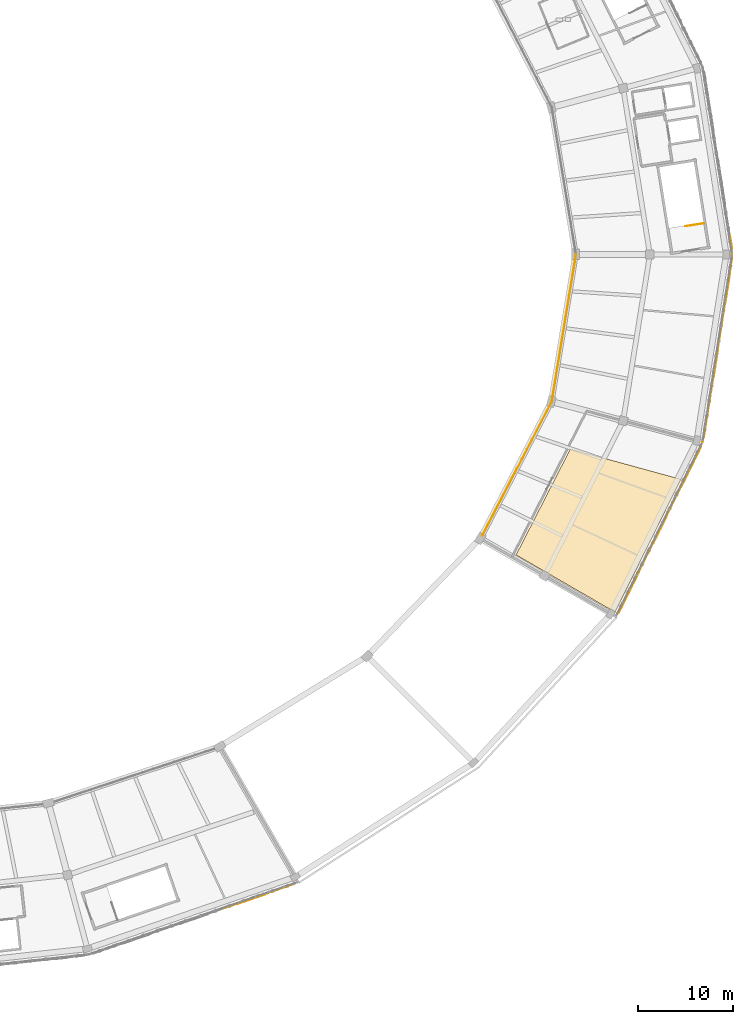
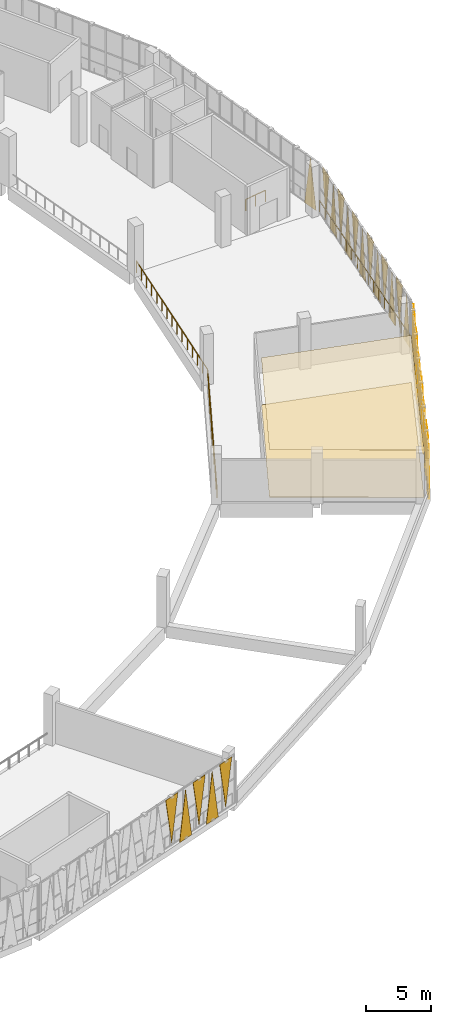
# One storey, part 60 of 64: 32 coverings, 5 railings.
"""IFC4 building model written with IfcOpenShell, lengths in metres."""

from ifc_helpers import new_model, si_unit, direction, frame, origin, origin_2d, place, context, subcontext, project, spatial, polyline, circle, outline, extrude, material, layer, layer_set, type_object, element, save


model = new_model("IFC4")

# Units and contexts
model_context = context("Model", 3, precision=1e-05, world=origin(), true_north=direction((0.0, 1.0)))
body_context = subcontext(model_context, "Body", "Model", "MODEL_VIEW")
ifc_project = project(units=[si_unit("LENGTHUNIT", "METRE"), si_unit("AREAUNIT", "SQUARE_METRE"), si_unit("VOLUMEUNIT", "CUBIC_METRE"), si_unit("PLANEANGLEUNIT", "RADIAN"), si_unit("MASSUNIT", "GRAM", prefix="KILO")], contexts=[model_context])

# Site, building, storey
site_placement = place(None, origin())
site = spatial("IfcSite", under=ifc_project, at=site_placement, CompositionType="ELEMENT")
building_placement = place(site_placement, origin())
building = spatial("IfcBuilding", under=site, at=building_placement, Name="Zevraka Park Crest Stadium", CompositionType="ELEMENT")
storey_placement = place(building_placement, frame((0.0, 0.0, 24.60009765625)))
storey = spatial("IfcBuildingStorey", under=building, at=storey_placement, Name="L05", CompositionType="ELEMENT", Elevation=24.60009765625)

# Coverings
ifc_material_1 = material(Name="Architectural golden-bronze perforated aluminium", Category="aluminium")
ifc_layer_1 = layer(ifc_material_1, 0.034912109375)
ifc_layer_set_1 = layer_set([ifc_layer_1], Name="Architectural golden-bronze perforated aluminium")
covering_type_1 = type_object("IfcCoveringType", Name="CLD01", PredefinedType="CLADDING", material=ifc_layer_set_1)
covering_1_placement = place(storey_placement, frame((202.9169921875, 92.52392578125, -0.22021484375), z_axis=(-0.987893266449, -0.155135069606, 6.5440973e-05), x_axis=(-0.155135069938, 0.987893268565, 0.0)))
element("IfcCovering", 1, at=covering_1_placement, inside=storey, type_object=covering_type_1, Name="Triangular Golden-Bronze Perforated Cladding L05-00-1", PredefinedType="CLADDING", context=body_context, shape_type="SweptSolid", body=[
    extrude(outline(polyline([(0.0, 0.0), (1.4242251330644342, 1.6940658945086007e-21), (0.711693977052785, -4.66015625997861), (0.0, 0.0)])), origin(), (0.0, 0.0, -1.0), 0.034912109375),
])
covering_2_placement = place(storey_placement, frame((150.971923828125, 23.924072265625, 4.599853515625), z_axis=(0.326876778138, -0.945066957718, 0.000131698294), x_axis=(-0.945066965914, -0.326876780972, 0.0)))
element("IfcCovering", 2, at=covering_2_placement, inside=storey, type_object=covering_type_1, Name="Triangular Golden-Bronze Perforated Cladding L05-19-10", PredefinedType="CLADDING", context=body_context, shape_type="SweptSolid", body=[
    extrude(outline(polyline([(0.0, 0.0), (1.4347734924150557, -6.776263578034403e-21), (0.7175862559615392, 4.379882850483309), (0.0, 0.0)])), origin(), (0.0, 0.0, -1.0), 0.034912109375),
])
covering_3_placement = place(storey_placement, frame((151.123046875, 23.97607421875, -0.22021484375), z_axis=(-0.327087167362, 0.944994158697, 0.000158039592), x_axis=(0.944994170498, 0.327087171446, 0.0)))
element("IfcCovering", 3, at=covering_3_placement, inside=storey, type_object=covering_type_1, Name="Triangular Golden-Bronze Perforated Cladding L05-19-11", PredefinedType="CLADDING", context=body_context, shape_type="SweptSolid", body=[
    extrude(outline(polyline([(0.0, 0.0), (1.433850610989357, 0.0), (0.7171870902633259, -4.660156308197227), (0.0, 0.0)])), origin(), (0.0, 0.0, -1.0), 0.034912109375),
])
covering_4_placement = place(storey_placement, frame((153.985107421875, 24.966064453125, 4.599853515625), z_axis=(-0.327034549779, 0.945012382, 3.3441037e-05), x_axis=(-0.945012382528, -0.327034549962, 0.0)))
element("IfcCovering", 4, at=covering_4_placement, inside=storey, type_object=covering_type_1, Name="Triangular Golden-Bronze Perforated Cladding L05-19-12", PredefinedType="CLADDING", context=body_context, shape_type="SweptSolid", body=[
    extrude(outline(polyline([(0.0, 0.0), (1.4340813246800908, 1.6940658945086007e-21), (0.7163441089266511, -4.379882814949018), (0.0, 0.0)])), origin(), (0.0, 0.0, -1.0), 0.034912109375),
])
covering_5_placement = place(storey_placement, frame((154.136962890625, 25.01904296875, -0.22021484375), z_axis=(0.326478757083, -0.945204539285, 9.448619e-06), x_axis=(0.945204539327, 0.326478757097, 0.0)))
element("IfcCovering", 5, at=covering_5_placement, inside=storey, type_object=covering_type_1, Name="Triangular Golden-Bronze Perforated Cladding L05-19-13", PredefinedType="CLADDING", context=body_context, shape_type="SweptSolid", body=[
    extrude(outline(polyline([(0.0, 0.0), (1.4335314869677471, 0.0), (0.716264364466002, 4.660156250208021), (0.0, 0.0)])), origin(), (0.0, 0.0, -1.0), 0.034912109375),
])
covering_6_placement = place(storey_placement, frame((156.9990234375, 26.009033203125, 4.599853515625), z_axis=(0.326876778138, -0.945066957718, 0.000131698294), x_axis=(-0.945066965914, -0.326876780972, 0.0)))
element("IfcCovering", 6, at=covering_6_placement, inside=storey, type_object=covering_type_1, Name="Triangular Golden-Bronze Perforated Cladding L05-19-14", PredefinedType="CLADDING", context=body_context, shape_type="SweptSolid", body=[
    extrude(outline(polyline([(0.0, 0.0), (1.4347734924150557, -6.776263578034403e-21), (0.7175862559615392, 4.379882850483309), (0.0, 0.0)])), origin(), (0.0, 0.0, -1.0), 0.034912109375),
])
covering_7_placement = place(storey_placement, frame((191.04296875, 54.47509765625, -0.22021484375), z_axis=(-0.895619480658, 0.444821021261, 7.0067675e-05), x_axis=(0.444821022353, 0.895619482857, 0.0)))
element("IfcCovering", 7, at=covering_7_placement, inside=storey, type_object=covering_type_1, Name="Triangular Golden-Bronze Perforated Cladding L05-22-1", PredefinedType="CLADDING", context=body_context, shape_type="SweptSolid", body=[
    extrude(outline(polyline([(0.0, 0.0), (1.4703728050326461, 6.776263578034403e-21), (0.7348033877569146, -4.660156261439471), (0.0, 0.0)])), origin(), (0.0, 0.0, -1.0), 0.034912109375),
])
covering_8_placement = place(storey_placement, frame((192.4208984375, 57.251953125, 4.599853515625), z_axis=(-0.895950090781, 0.444154716861, 0.000149398529), x_axis=(-0.444154721818, -0.89595010078, 0.0)))
element("IfcCovering", 8, at=covering_8_placement, inside=storey, type_object=covering_type_1, Name="Triangular Golden-Bronze Perforated Cladding L05-22-2", PredefinedType="CLADDING", context=body_context, shape_type="SweptSolid", body=[
    extrude(outline(polyline([(0.0, 0.0), (1.4698302172231181, 0.0), (0.7346945053991754, -4.379882861379319), (0.0, 0.0)])), origin(), (0.0, 0.0, -1.0), 0.034912109375),
])
covering_9_placement = place(storey_placement, frame((192.491943359375, 57.39501953125, -0.22021484375), z_axis=(-0.895883995086, 0.444288039832, 7.0784467e-05), x_axis=(0.444288040945, 0.895883997331, 0.0)))
element("IfcCovering", 9, at=covering_9_placement, inside=storey, type_object=covering_type_1, Name="Triangular Golden-Bronze Perforated Cladding L05-22-3", PredefinedType="CLADDING", context=body_context, shape_type="SweptSolid", body=[
    extrude(outline(polyline([(0.0, 0.0), (1.469938669709407, 0.0), (0.7356779501127663, -4.660156261674719), (0.0, 0.0)])), origin(), (0.0, 0.0, -1.0), 0.034912109375),
])
covering_10_placement = place(storey_placement, frame((193.868896484375, 60.173095703125, 4.599853515625), z_axis=(0.895982849102, -0.444088626228, 0.000161771865), x_axis=(-0.444088632039, -0.895982860826, 0.0)))
element("IfcCovering", 10, at=covering_10_placement, inside=storey, type_object=covering_type_1, Name="Triangular Golden-Bronze Perforated Cladding L05-22-4", PredefinedType="CLADDING", context=body_context, shape_type="SweptSolid", body=[
    extrude(outline(polyline([(0.0, 0.0), (1.4700489590400176, 1.3552527156068805e-20), (0.7353545039067246, 4.379882869811066), (0.0, 0.0)])), origin(), (0.0, 0.0, -1.0), 0.034912109375),
])
covering_11_placement = place(storey_placement, frame((193.94091796875, 60.31591796875, -0.22021484375), z_axis=(0.895916767223, -0.444221937409, 0.000128584975), x_axis=(0.444221941081, 0.895916774629, 0.0)))
element("IfcCovering", 11, at=covering_11_placement, inside=storey, type_object=covering_type_1, Name="Triangular Golden-Bronze Perforated Cladding L05-22-5", PredefinedType="CLADDING", context=body_context, shape_type="SweptSolid", body=[
    extrude(outline(polyline([(0.0, 0.0), (1.4701573953898759, 0.0), (0.7354628429647014, 4.660156288525736), (0.0, 0.0)])), origin(), (0.0, 0.0, -1.0), 0.034912109375),
])
covering_12_placement = place(storey_placement, frame((195.318115234375, 63.093017578125, 4.599853515625), z_axis=(-0.895916759006, 0.444221933335, 0.000186752884), x_axis=(-0.444221941081, -0.895916774629, 0.0)))
element("IfcCovering", 12, at=covering_12_placement, inside=storey, type_object=covering_type_1, Name="Triangular Golden-Bronze Perforated Cladding L05-22-6", PredefinedType="CLADDING", context=body_context, shape_type="SweptSolid", body=[
    extrude(outline(polyline([(0.0, 0.0), (1.4701573953898759, 1.3552527156068805e-20), (0.7348030050475087, -4.379882888877799), (0.0, 0.0)])), origin(), (0.0, 0.0, -1.0), 0.034912109375),
])
covering_13_placement = place(storey_placement, frame((195.388916015625, 63.237060546875, -0.22021484375), z_axis=(-0.895883985299, 0.444288034979, 0.000163887575), x_axis=(0.444288040945, 0.895883997331, 0.0)))
element("IfcCovering", 13, at=covering_13_placement, inside=storey, type_object=covering_type_1, Name="Triangular Golden-Bronze Perforated Cladding L05-22-7", PredefinedType="CLADDING", context=body_context, shape_type="SweptSolid", body=[
    extrude(outline(polyline([(0.0, 0.0), (1.469938669709407, 0.0), (0.7348030633966232, -4.66015631258389), (0.0, 0.0)])), origin(), (0.0, 0.0, -1.0), 0.034912109375),
])
covering_14_placement = place(storey_placement, frame((196.76611328125, 66.013916015625, 4.599853515625), z_axis=(0.895883990394, -0.444288037506, 0.000124437127), x_axis=(-0.444288040945, -0.895883997331, 0.0)))
element("IfcCovering", 14, at=covering_14_placement, inside=storey, type_object=covering_type_1, Name="Triangular Golden-Bronze Perforated Cladding L05-22-8", PredefinedType="CLADDING", context=body_context, shape_type="SweptSolid", body=[
    extrude(outline(polyline([(0.0, 0.0), (1.469938669709407, 0.0), (0.7352440750727806, 4.379882846410363), (0.0, 0.0)])), origin(), (0.0, 0.0, -1.0), 0.034912109375),
])
covering_15_placement = place(storey_placement, frame((196.837890625, 66.156982421875, -0.22021484375), z_axis=(0.895916769661, -0.444221938618, 0.00010531266), x_axis=(0.444221941081, 0.895916774629, 0.0)))
element("IfcCovering", 15, at=covering_15_placement, inside=storey, type_object=covering_type_1, Name="Triangular Golden-Bronze Perforated Cladding L05-22-9", PredefinedType="CLADDING", context=body_context, shape_type="SweptSolid", body=[
    extrude(outline(polyline([(0.0, 0.0), (1.4701573953898759, 0.0), (0.7352441132833955, 4.66015627584233), (0.0, 0.0)])), origin(), (0.0, 0.0, -1.0), 0.034912109375),
])
covering_16_placement = place(storey_placement, frame((198.215087890625, 68.93505859375, 4.599853515625), z_axis=(-0.895916772854, 0.444221940201, 6.2945211e-05), x_axis=(-0.444221941081, -0.895916774629, 0.0)))
element("IfcCovering", 16, at=covering_16_placement, inside=storey, type_object=covering_type_1, Name="Triangular Golden-Bronze Perforated Cladding L05-22-10", PredefinedType="CLADDING", context=body_context, shape_type="SweptSolid", body=[
    extrude(outline(polyline([(0.0, 0.0), (1.4701573953898759, 0.0), (0.7358966534540385, -4.379882821176766), (0.0, 0.0)])), origin(), (0.0, 0.0, -1.0), 0.034912109375),
])
covering_17_placement = place(storey_placement, frame((198.285888671875, 69.077880859375, -0.22021484375), z_axis=(-0.895916764246, 0.444221935933, 0.000152248785), x_axis=(0.444221941081, 0.895916774629, 0.0)))
element("IfcCovering", 17, at=covering_17_placement, inside=storey, type_object=covering_type_1, Name="Triangular Golden-Bronze Perforated Cladding L05-22-11", PredefinedType="CLADDING", context=body_context, shape_type="SweptSolid", body=[
    extrude(outline(polyline([(0.0, 0.0), (1.4701573953898759, 1.3552527156068805e-20), (0.7350217347288147, -4.660156304010495), (0.0, 0.0)])), origin(), (0.0, 0.0, -1.0), 0.034912109375),
])
covering_18_placement = place(storey_placement, frame((199.6640625, 71.85498046875, 4.599853515625), z_axis=(-0.895619480368, 0.444821021117, 7.4551381e-05), x_axis=(-0.444821022353, -0.895619482857, 0.0)))
element("IfcCovering", 18, at=covering_18_placement, inside=storey, type_object=covering_type_1, Name="Triangular Golden-Bronze Perforated Cladding L05-22-12", PredefinedType="CLADDING", context=body_context, shape_type="SweptSolid", body=[
    extrude(outline(polyline([(0.0, 0.0), (1.4703728050326461, 0.0), (0.7348033877569146, -4.379882824671494), (0.0, 0.0)])), origin(), (0.0, 0.0, -1.0), 0.034912109375),
])
covering_19_placement = place(storey_placement, frame((199.98193359375, 72.85400390625, -0.22021484375), z_axis=(0.987893266942, -0.155135069683, 5.7313612e-05), x_axis=(0.155135069938, 0.987893268565, 0.0)))
element("IfcCovering", 19, at=covering_19_placement, inside=storey, type_object=covering_type_1, Name="Triangular Golden-Bronze Perforated Cladding L05-23-1", PredefinedType="CLADDING", context=body_context, shape_type="SweptSolid", body=[
    extrude(outline(polyline([(0.0, 0.0), (1.4242251330644342, -1.6940658945086007e-21), (0.7114527921727644, 4.6601562576539575), (0.0, 0.0)])), origin(), (0.0, 0.0, -1.0), 0.034912109375),
])
covering_20_placement = place(storey_placement, frame((200.449951171875, 75.825927734375, 4.599853515625), z_axis=(0.987787967194, -0.155804140583, 4.0557424e-05), x_axis=(-0.155804140711, -0.987787968006, 0.0)))
element("IfcCovering", 20, at=covering_20_placement, inside=storey, type_object=covering_type_1, Name="Triangular Golden-Bronze Perforated Cladding L05-23-2", PredefinedType="CLADDING", context=body_context, shape_type="SweptSolid", body=[
    extrude(outline(polyline([(0.0, 0.0), (1.424376958868296, 0.0), (0.7125311991318173, 4.379882816102245), (0.0, 0.0)])), origin(), (0.0, 0.0, -1.0), 0.034912109375),
])
covering_21_placement = place(storey_placement, frame((200.47509765625, 75.98388671875, -0.22021484375), z_axis=(0.987792127669, -0.155777766143, 9.552626e-06), x_axis=(0.155777766151, 0.987792127714, 0.0)))
element("IfcCovering", 21, at=covering_21_placement, inside=storey, type_object=covering_type_1, Name="Triangular Golden-Bronze Perforated Cladding L05-23-3", PredefinedType="CLADDING", context=body_context, shape_type="SweptSolid", body=[
    extrude(outline(polyline([(0.0, 0.0), (1.4246181185479923, 0.0), (0.7118077230585413, 4.660156250212626), (0.0, 0.0)])), origin(), (0.0, 0.0, -1.0), 0.034912109375),
])
covering_22_placement = place(storey_placement, frame((200.944091796875, 78.9560546875, 4.599853515625), z_axis=(0.98776157535, -0.155971374903, 2.1735141e-05), x_axis=(-0.15597137494, -0.987761575584, 0.0)))
element("IfcCovering", 22, at=covering_22_placement, inside=storey, type_object=covering_type_1, Name="Triangular Golden-Bronze Perforated Cladding L05-23-4", PredefinedType="CLADDING", context=body_context, shape_type="SweptSolid", body=[
    extrude(outline(polyline([(0.0, 0.0), (1.4244150174031942, 8.470329472543003e-22), (0.712810390522632, 4.3798828135345635), (0.0, 0.0)])), origin(), (0.0, 0.0, -1.0), 0.034912109375),
])
covering_23_placement = place(storey_placement, frame((200.968017578125, 79.114013671875, -0.22021484375), z_axis=(-0.987787966948, 0.155804140544, 4.6280613e-05), x_axis=(0.155804140711, 0.987787968006, 0.0)))
element("IfcCovering", 23, at=covering_23_placement, inside=storey, type_object=covering_type_1, Name="Triangular Golden-Bronze Perforated Cladding L05-23-5", PredefinedType="CLADDING", context=body_context, shape_type="SweptSolid", body=[
    extrude(outline(polyline([(0.0, 0.0), (1.424376958868296, 0.0), (0.7116046005646023, -4.660156254990783), (0.0, 0.0)])), origin(), (0.0, 0.0, -1.0), 0.034912109375),
])
covering_24_placement = place(storey_placement, frame((201.43701171875, 82.0859375, 4.599853515625), z_axis=(-0.987787967902, 0.155804140695, 1.450322e-05), x_axis=(-0.155804140711, -0.987787968006, 0.0)))
element("IfcCovering", 24, at=covering_24_placement, inside=storey, type_object=covering_type_1, Name="Triangular Golden-Bronze Perforated Cladding L05-23-6", PredefinedType="CLADDING", context=body_context, shape_type="SweptSolid", body=[
    extrude(outline(polyline([(0.0, 0.0), (1.424376958868296, 0.0), (0.7125692372521081, -4.3798828129606395), (0.0, 0.0)])), origin(), (0.0, 0.0, -1.0), 0.034912109375),
])
covering_25_placement = place(storey_placement, frame((201.4619140625, 82.243896484375, -0.22021484375), z_axis=(0.987761575377, -0.155971374908, 2.0427936e-05), x_axis=(0.15597137494, 0.987761575584, 0.0)))
element("IfcCovering", 25, at=covering_25_placement, inside=storey, type_object=covering_type_1, Name="Triangular Golden-Bronze Perforated Cladding L05-23-7", PredefinedType="CLADDING", context=body_context, shape_type="SweptSolid", body=[
    extrude(outline(polyline([(0.0, 0.0), (1.4244150174031942, 0.0), (0.712810390522632, 4.660156250972343), (0.0, 0.0)])), origin(), (0.0, 0.0, -1.0), 0.034912109375),
])
covering_26_placement = place(storey_placement, frame((201.930908203125, 85.216064453125, 4.599853515625), z_axis=(0.987787967902, -0.155804140695, 1.450322e-05), x_axis=(-0.155804140711, -0.987787968006, 0.0)))
element("IfcCovering", 26, at=covering_26_placement, inside=storey, type_object=covering_type_1, Name="Triangular Golden-Bronze Perforated Cladding L05-23-8", PredefinedType="CLADDING", context=body_context, shape_type="SweptSolid", body=[
    extrude(outline(polyline([(0.0, 0.0), (1.424376958868296, 0.0), (0.711807721616188, 4.3798828129606395), (0.0, 0.0)])), origin(), (0.0, 0.0, -1.0), 0.034912109375),
])
covering_27_placement = place(storey_placement, frame((201.955078125, 85.3740234375, -0.22021484375), z_axis=(0.987787967288, -0.155804140598, 3.81182e-05), x_axis=(0.155804140711, 0.987787968006, 0.0)))
element("IfcCovering", 27, at=covering_27_placement, inside=storey, type_object=covering_type_1, Name="Triangular Golden-Bronze Perforated Cladding L05-23-9", PredefinedType="CLADDING", context=body_context, shape_type="SweptSolid", body=[
    extrude(outline(polyline([(0.0, 0.0), (1.424376958868296, 0.0), (0.7125311991318173, 4.660156253385598), (0.0, 0.0)])), origin(), (0.0, 0.0, -1.0), 0.034912109375),
])
covering_28_placement = place(storey_placement, frame((202.424072265625, 88.345947265625, 4.599853515625), z_axis=(-0.98776157535, 0.155971374903, 2.1735141e-05), x_axis=(-0.15597137494, -0.987761575584, 0.0)))
element("IfcCovering", 28, at=covering_28_placement, inside=storey, type_object=covering_type_1, Name="Triangular Golden-Bronze Perforated Cladding L05-23-10", PredefinedType="CLADDING", context=body_context, shape_type="SweptSolid", body=[
    extrude(outline(polyline([(0.0, 0.0), (1.4244150174031942, 8.470329472543003e-22), (0.7116046268805623, -4.3798828135345635), (0.0, 0.0)])), origin(), (0.0, 0.0, -1.0), 0.034912109375),
])
covering_29_placement = place(storey_placement, frame((202.448974609375, 88.50390625, -0.22021484375), z_axis=(-0.987787967991, 0.155804140709, 5.468547e-06), x_axis=(0.155804140711, 0.987787968006, 0.0)))
element("IfcCovering", 29, at=covering_29_placement, inside=storey, type_object=covering_type_1, Name="Triangular Golden-Bronze Perforated Cladding L05-23-11", PredefinedType="CLADDING", context=body_context, shape_type="SweptSolid", body=[
    extrude(outline(polyline([(0.0, 0.0), (1.424376958868296, 0.0), (0.7128103964239846, -4.660156250069682), (0.0, 0.0)])), origin(), (0.0, 0.0, -1.0), 0.034912109375),
])
covering_30_placement = place(storey_placement, frame((202.9169921875, 91.47607421875, 4.599853515625), z_axis=(0.98789326617, -0.155135069562, 6.9628612e-05), x_axis=(-0.155135069938, -0.987893268565, 0.0)))
element("IfcCovering", 30, at=covering_30_placement, inside=storey, type_object=covering_type_1, Name="Triangular Golden-Bronze Perforated Cladding L05-23-12", PredefinedType="CLADDING", context=body_context, shape_type="SweptSolid", body=[
    extrude(outline(polyline([(0.0, 0.0), (1.4242251330644342, 0.0), (0.711693977052785, 4.379882823117151), (0.0, 0.0)])), origin(), (0.0, 0.0, -1.0), 0.034912109375),
])
ifc_material_2 = material(Name="Perforated acoustic mineral-fibre suspended ceiling", Category="other")
ifc_layer_2 = layer(ifc_material_2, 0.02490234375)
ifc_layer_set_2 = layer_set([ifc_layer_2], Name="Perforated acoustic mineral-fibre suspended ceiling")
covering_type_2 = type_object("IfcCoveringType", Name="CLG01", PredefinedType="CEILING", material=ifc_layer_set_2)
covering_31_placement = place(storey_placement, frame((0.0, 0.0, 4.47998046875)))
element("IfcCovering", 31, at=covering_31_placement, inside=storey, type_object=covering_type_2, Name="Acoustic Ceiling Television Broadcast Studio L05-023", PredefinedType="CEILING", context=body_context, shape_type="SweptSolid", body=[
    extrude(outline(polyline([(190.64697265625, 54.531982421875), (180.282958984375, 60.530029296875), (185.966064453125, 71.6201171875), (197.541015625, 68.449951171875), (190.64697265625, 54.531982421875)])), origin(), (0.0, 0.0, 1.0), 0.02490234375),
])
ifc_material_3 = material(Name="Honed terrazzo and slip-resistant sports flooring", Category="other")
ifc_layer_3 = layer(ifc_material_3, 0.0400390625)
ifc_layer_set_3 = layer_set([ifc_layer_3], Name="Honed terrazzo and slip-resistant sports flooring")
covering_type_3 = type_object("IfcCoveringType", Name="FLR01", PredefinedType="FLOORING", material=ifc_layer_set_3)
covering_32_placement = place(storey_placement, origin())
element("IfcCovering", 32, at=covering_32_placement, inside=storey, type_object=covering_type_3, Name="Terrazzo Floor Finish Television Broadcast Studio L05-023", PredefinedType="FLOORING", context=body_context, shape_type="SweptSolid", body=[
    extrude(outline(polyline([(190.64697265625, 54.531982421875), (180.282958984375, 60.530029296875), (185.966064453125, 71.6201171875), (197.541015625, 68.449951171875), (190.64697265625, 54.531982421875)])), origin(), (0.0, 0.0, 1.0), 0.039794921875),
])

# Railings
ifc_material_4 = material(Name="Galvanised and bronze-finished steel balustrade", Category="steel")
railing_type_1 = type_object("IfcRailingType", Name="GR01", PredefinedType="GUARDRAIL", material=ifc_material_4)
railing_1_placement = place(storey_placement, frame((176.759033203125, 62.56201171875, 0.0)))
element("IfcRailing", 33, at=railing_1_placement, inside=storey, type_object=railing_type_1, Name="Deck Edge Protection Guardrail GR01 L05-1", PredefinedType="GUARDRAIL", context=body_context, shape_type="SweptSolid", body=[
    extrude(circle(Radius=0.02392578125, at=origin_2d()), frame((0.0, 0.0, 1.076171875), z_axis=(0.460360955046, 0.887731823846, 0.0), x_axis=(-0.887731823846, 0.460360955046, 0.0)), (0.0, 0.0, 1.0), 15.78515625),
    extrude(circle(Radius=0.02099609375, at=origin_2d()), origin(), (0.0, 0.0, 1.0), 1.052001953125),
    extrude(circle(Radius=0.02099609375, at=origin_2d()), frame((0.51904296875, 1.0009765625, 0.0)), (0.0, 0.0, 1.0), 1.052001953125),
    extrude(circle(Radius=0.02099609375, at=origin_2d()), frame((1.0380859375, 2.001953125, 0.0)), (0.0, 0.0, 1.0), 1.052001953125),
    extrude(circle(Radius=0.02099609375, at=origin_2d()), frame((1.55712890625, 3.002685546875, 0.0)), (0.0, 0.0, 1.0), 1.052001953125),
    extrude(circle(Radius=0.02099609375, at=origin_2d()), frame((2.076171875, 4.003662109375, 0.0)), (0.0, 0.0, 1.0), 1.052001953125),
    extrude(circle(Radius=0.02099609375, at=origin_2d()), frame((2.59521484375, 5.004638671875, 0.0)), (0.0, 0.0, 1.0), 1.052001953125),
    extrude(circle(Radius=0.02099609375, at=origin_2d()), frame((3.1142578125, 6.005615234375, 0.0)), (0.0, 0.0, 1.0), 1.052001953125),
    extrude(circle(Radius=0.02099609375, at=origin_2d()), frame((3.63330078125, 7.00634765625, 0.0)), (0.0, 0.0, 1.0), 1.052001953125),
    extrude(circle(Radius=0.02099609375, at=origin_2d()), frame((4.152587890625, 8.00732421875, 0.0)), (0.0, 0.0, 1.0), 1.052001953125),
    extrude(circle(Radius=0.02099609375, at=origin_2d()), frame((4.671630859375, 9.00830078125, 0.0)), (0.0, 0.0, 1.0), 1.052001953125),
    extrude(circle(Radius=0.02099609375, at=origin_2d()), frame((5.190673828125, 10.00927734375, 0.0)), (0.0, 0.0, 1.0), 1.052001953125),
    extrude(circle(Radius=0.02099609375, at=origin_2d()), frame((5.709716796875, 11.01025390625, 0.0)), (0.0, 0.0, 1.0), 1.052001953125),
    extrude(circle(Radius=0.02099609375, at=origin_2d()), frame((6.228759765625, 12.010986328125, 0.0)), (0.0, 0.0, 1.0), 1.052001953125),
    extrude(circle(Radius=0.02099609375, at=origin_2d()), frame((6.747802734375, 13.011962890625, 0.0)), (0.0, 0.0, 1.0), 1.052001953125),
    extrude(circle(Radius=0.02099609375, at=origin_2d()), frame((7.266845703125, 14.012939453125, 0.0)), (0.0, 0.0, 1.0), 1.052001953125),
])
railing_2_placement = place(storey_placement, frame((184.02587890625, 76.574951171875, 0.0)))
element("IfcRailing", 34, at=railing_2_placement, inside=storey, type_object=railing_type_1, Name="Deck Edge Protection Guardrail GR01 L05-2", PredefinedType="GUARDRAIL", context=body_context, shape_type="SweptSolid", body=[
    extrude(circle(Radius=0.02392578125, at=origin_2d()), frame((0.0, 0.0, 1.076171875), z_axis=(0.162709297252, 0.986674051847, 0.0), x_axis=(-0.986674051847, 0.162709297252, 0.0)), (0.0, 0.0, 1.0), 15.63037109375),
    extrude(circle(Radius=0.02099609375, at=origin_2d()), origin(), (0.0, 0.0, 1.0), 1.052001953125),
    extrude(circle(Radius=0.02099609375, at=origin_2d()), frame((0.181640625, 1.1015625, 0.0)), (0.0, 0.0, 1.0), 1.052001953125),
    extrude(circle(Radius=0.02099609375, at=origin_2d()), frame((0.36328125, 2.203125, 0.0)), (0.0, 0.0, 1.0), 1.052001953125),
    extrude(circle(Radius=0.02099609375, at=origin_2d()), frame((0.544921875, 3.3046875, 0.0)), (0.0, 0.0, 1.0), 1.052001953125),
    extrude(circle(Radius=0.02099609375, at=origin_2d()), frame((0.7265625, 4.40625, 0.0)), (0.0, 0.0, 1.0), 1.052001953125),
    extrude(circle(Radius=0.02099609375, at=origin_2d()), frame((0.908203125, 5.5078125, 0.0)), (0.0, 0.0, 1.0), 1.052001953125),
    extrude(circle(Radius=0.02099609375, at=origin_2d()), frame((1.08984375, 6.609375, 0.0)), (0.0, 0.0, 1.0), 1.052001953125),
    extrude(circle(Radius=0.02099609375, at=origin_2d()), frame((1.271484375, 7.7109375, 0.0)), (0.0, 0.0, 1.0), 1.052001953125),
    extrude(circle(Radius=0.02099609375, at=origin_2d()), frame((1.453369140625, 8.812744140625, 0.0)), (0.0, 0.0, 1.0), 1.052001953125),
    extrude(circle(Radius=0.02099609375, at=origin_2d()), frame((1.635009765625, 9.914306640625, 0.0)), (0.0, 0.0, 1.0), 1.052001953125),
    extrude(circle(Radius=0.02099609375, at=origin_2d()), frame((1.816650390625, 11.015869140625, 0.0)), (0.0, 0.0, 1.0), 1.052001953125),
    extrude(circle(Radius=0.02099609375, at=origin_2d()), frame((1.998291015625, 12.117431640625, 0.0)), (0.0, 0.0, 1.0), 1.052001953125),
    extrude(circle(Radius=0.02099609375, at=origin_2d()), frame((2.179931640625, 13.218994140625, 0.0)), (0.0, 0.0, 1.0), 1.052001953125),
    extrude(circle(Radius=0.02099609375, at=origin_2d()), frame((2.361572265625, 14.320556640625, 0.0)), (0.0, 0.0, 1.0), 1.052001953125),
    extrude(circle(Radius=0.02099609375, at=origin_2d()), frame((2.543212890625, 15.422119140625, 0.0)), (0.0, 0.0, 1.0), 1.052001953125),
])
railing_3_placement = place(storey_placement, frame((202.928955078125, 92.0, 0.0)))
element("IfcRailing", 35, at=railing_3_placement, inside=storey, type_object=railing_type_1, Name="Deck Edge Protection Guardrail GR01 L05-7", PredefinedType="GUARDRAIL", context=body_context, shape_type="SweptSolid", body=[
    extrude(circle(Radius=0.02392578125, at=origin_2d()), frame((0.0, 0.0, 1.076171875), z_axis=(-0.155690922418, -0.987805819317, 0.0), x_axis=(0.987805819317, -0.155690922418, 0.0)), (0.0, 0.0, 1.0), 19.8916015625),
    extrude(circle(Radius=0.02099609375, at=origin_2d()), origin(), (0.0, 0.0, 1.0), 1.052001953125),
    extrude(circle(Radius=0.02099609375, at=origin_2d()), frame((-0.18212890625, -1.15576171875, 0.0)), (0.0, 0.0, 1.0), 1.052001953125),
    extrude(circle(Radius=0.02099609375, at=origin_2d()), frame((-0.3642578125, -2.3115234375, 0.0)), (0.0, 0.0, 1.0), 1.052001953125),
    extrude(circle(Radius=0.02099609375, at=origin_2d()), frame((-0.546630859375, -3.467529296875, 0.0)), (0.0, 0.0, 1.0), 1.052001953125),
    extrude(circle(Radius=0.02099609375, at=origin_2d()), frame((-0.728759765625, -4.623291015625, 0.0)), (0.0, 0.0, 1.0), 1.052001953125),
    extrude(circle(Radius=0.02099609375, at=origin_2d()), frame((-0.910888671875, -5.779052734375, 0.0)), (0.0, 0.0, 1.0), 1.052001953125),
    extrude(circle(Radius=0.02099609375, at=origin_2d()), frame((-1.093017578125, -6.934814453125, 0.0)), (0.0, 0.0, 1.0), 1.052001953125),
    extrude(circle(Radius=0.02099609375, at=origin_2d()), frame((-1.275146484375, -8.0908203125, 0.0)), (0.0, 0.0, 1.0), 1.052001953125),
    extrude(circle(Radius=0.02099609375, at=origin_2d()), frame((-1.457275390625, -9.24658203125, 0.0)), (0.0, 0.0, 1.0), 1.052001953125),
    extrude(circle(Radius=0.02099609375, at=origin_2d()), frame((-1.6396484375, -10.40234375, 0.0)), (0.0, 0.0, 1.0), 1.052001953125),
    extrude(circle(Radius=0.02099609375, at=origin_2d()), frame((-1.82177734375, -11.55810546875, 0.0)), (0.0, 0.0, 1.0), 1.052001953125),
    extrude(circle(Radius=0.02099609375, at=origin_2d()), frame((-2.00390625, -12.714111328125, 0.0)), (0.0, 0.0, 1.0), 1.052001953125),
    extrude(circle(Radius=0.02099609375, at=origin_2d()), frame((-2.18603515625, -13.869873046875, 0.0)), (0.0, 0.0, 1.0), 1.052001953125),
    extrude(circle(Radius=0.02099609375, at=origin_2d()), frame((-2.3681640625, -15.025634765625, 0.0)), (0.0, 0.0, 1.0), 1.052001953125),
    extrude(circle(Radius=0.02099609375, at=origin_2d()), frame((-2.55029296875, -16.181396484375, 0.0)), (0.0, 0.0, 1.0), 1.052001953125),
    extrude(circle(Radius=0.02099609375, at=origin_2d()), frame((-2.732666015625, -17.33740234375, 0.0)), (0.0, 0.0, 1.0), 1.052001953125),
    extrude(circle(Radius=0.02099609375, at=origin_2d()), frame((-2.914794921875, -18.4931640625, 0.0)), (0.0, 0.0, 1.0), 1.052001953125),
    extrude(circle(Radius=0.02099609375, at=origin_2d()), frame((-3.096923828125, -19.64892578125, 0.0)), (0.0, 0.0, 1.0), 1.052001953125),
])
railing_4_placement = place(storey_placement, frame((199.83203125, 72.35107421875, 0.0)))
element("IfcRailing", 36, at=railing_4_placement, inside=storey, type_object=railing_type_1, Name="Deck Edge Protection Guardrail GR01 L05-8", PredefinedType="GUARDRAIL", context=body_context, shape_type="SweptSolid", body=[
    extrude(circle(Radius=0.02392578125, at=origin_2d()), frame((0.0, 0.0, 1.076171875), z_axis=(-0.444343152442, -0.895856664248, 0.0), x_axis=(0.895856664248, -0.444343152442, 0.0)), (0.0, 0.0, 1.0), 20.0546875),
    extrude(circle(Radius=0.02099609375, at=origin_2d()), origin(), (0.0, 0.0, 1.0), 1.052001953125),
    extrude(circle(Radius=0.02099609375, at=origin_2d()), frame((-0.524169921875, -1.056884765625, 0.0)), (0.0, 0.0, 1.0), 1.052001953125),
    extrude(circle(Radius=0.02099609375, at=origin_2d()), frame((-1.04833984375, -2.11376953125, 0.0)), (0.0, 0.0, 1.0), 1.052001953125),
    extrude(circle(Radius=0.02099609375, at=origin_2d()), frame((-1.572509765625, -3.17041015625, 0.0)), (0.0, 0.0, 1.0), 1.052001953125),
    extrude(circle(Radius=0.02099609375, at=origin_2d()), frame((-2.0966796875, -4.227294921875, 0.0)), (0.0, 0.0, 1.0), 1.052001953125),
    extrude(circle(Radius=0.02099609375, at=origin_2d()), frame((-2.620849609375, -5.2841796875, 0.0)), (0.0, 0.0, 1.0), 1.052001953125),
    extrude(circle(Radius=0.02099609375, at=origin_2d()), frame((-3.14501953125, -6.341064453125, 0.0)), (0.0, 0.0, 1.0), 1.052001953125),
    extrude(circle(Radius=0.02099609375, at=origin_2d()), frame((-3.669189453125, -7.397705078125, 0.0)), (0.0, 0.0, 1.0), 1.052001953125),
    extrude(circle(Radius=0.02099609375, at=origin_2d()), frame((-4.193359375, -8.45458984375, 0.0)), (0.0, 0.0, 1.0), 1.052001953125),
    extrude(circle(Radius=0.02099609375, at=origin_2d()), frame((-4.7177734375, -9.511474609375, 0.0)), (0.0, 0.0, 1.0), 1.052001953125),
    extrude(circle(Radius=0.02099609375, at=origin_2d()), frame((-5.241943359375, -10.568359375, 0.0)), (0.0, 0.0, 1.0), 1.052001953125),
    extrude(circle(Radius=0.02099609375, at=origin_2d()), frame((-5.76611328125, -11.625, 0.0)), (0.0, 0.0, 1.0), 1.052001953125),
    extrude(circle(Radius=0.02099609375, at=origin_2d()), frame((-6.290283203125, -12.681884765625, 0.0)), (0.0, 0.0, 1.0), 1.052001953125),
    extrude(circle(Radius=0.02099609375, at=origin_2d()), frame((-6.814453125, -13.73876953125, 0.0)), (0.0, 0.0, 1.0), 1.052001953125),
    extrude(circle(Radius=0.02099609375, at=origin_2d()), frame((-7.338623046875, -14.795654296875, 0.0)), (0.0, 0.0, 1.0), 1.052001953125),
    extrude(circle(Radius=0.02099609375, at=origin_2d()), frame((-7.86279296875, -15.852294921875, 0.0)), (0.0, 0.0, 1.0), 1.052001953125),
    extrude(circle(Radius=0.02099609375, at=origin_2d()), frame((-8.386962890625, -16.9091796875, 0.0)), (0.0, 0.0, 1.0), 1.052001953125),
    extrude(circle(Radius=0.02099609375, at=origin_2d()), frame((-8.9111328125, -17.966064453125, 0.0)), (0.0, 0.0, 1.0), 1.052001953125),
])
ifc_material_5 = material(Name="Powder-coated tubular steel stairwell guard", Category="steel")
railing_type_2 = type_object("IfcRailingType", Name="GR03", PredefinedType="GUARDRAIL", material=ifc_material_5)
railing_5_placement = place(storey_placement, frame((199.982666015625, 95.265625, 0.0)))
element("IfcRailing", 37, at=railing_5_placement, inside=storey, type_object=railing_type_2, Name="L05 ST01 top well guard 1", PredefinedType="GUARDRAIL", context=body_context, shape_type="SweptSolid", body=[
    extrude(circle(Radius=0.02392578125, at=origin_2d()), frame((0.0, 0.0, 1.076171875), z_axis=(-0.987546899515, -0.157324890778, 0.0), x_axis=(0.157324890778, -0.987546899515, 0.0)), (0.0, 0.0, 1.0), 1.9599609375),
    extrude(circle(Radius=0.02099609375, at=origin_2d()), origin(), (0.0, 0.0, 1.0), 1.052001953125),
    extrude(circle(Radius=0.02099609375, at=origin_2d()), frame((-0.9677734375, -0.154296875, 0.0)), (0.0, 0.0, 1.0), 1.052001953125),
    extrude(circle(Radius=0.02099609375, at=origin_2d()), frame((-1.935546875, -0.308349609375, 0.0)), (0.0, 0.0, 1.0), 1.052001953125),
])

save(model, "model.ifc")
